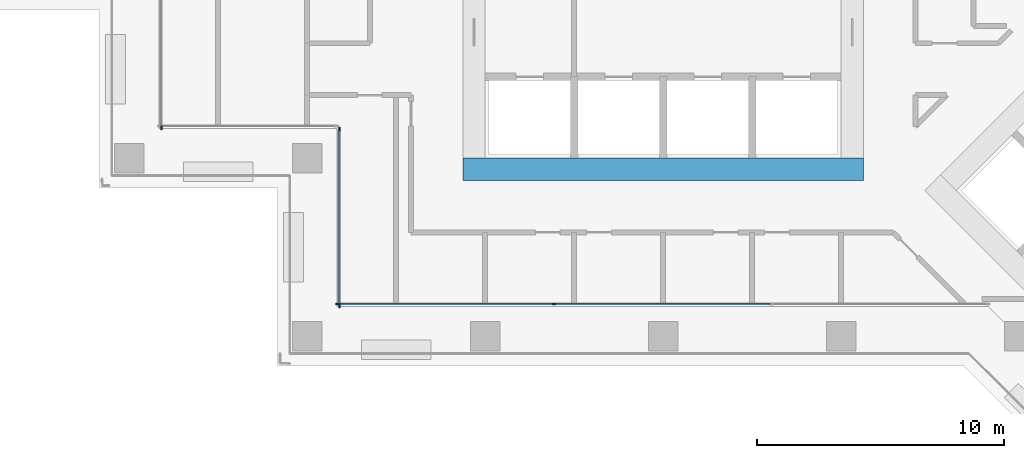
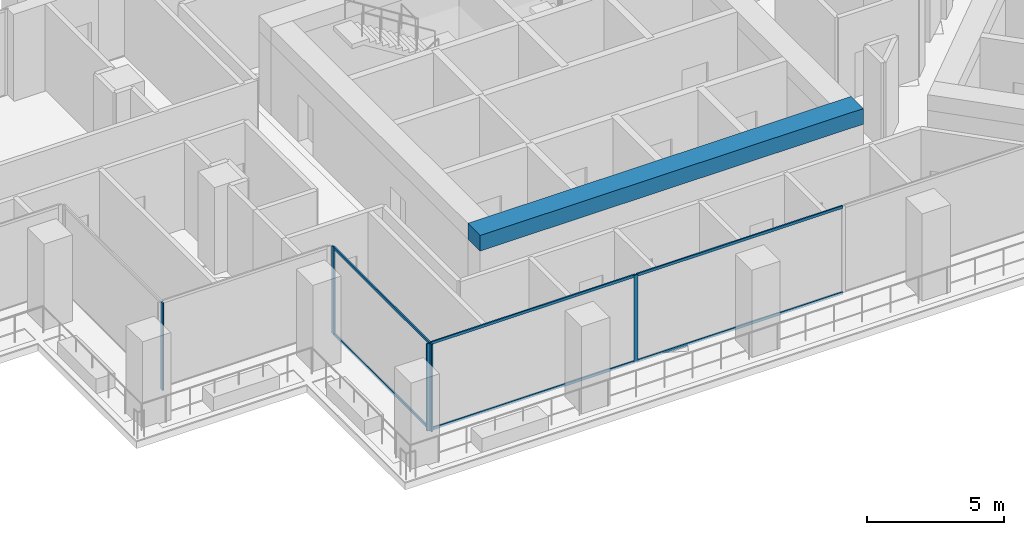
# One storey, part 2 of 24: 11 members, 1 beam, 3 elements without a shape of their own.
"""IFC4 building model written with IfcOpenShell, lengths in metres."""

from ifc_helpers import new_model, si_unit, direction, frame, origin, origin_2d, place, context, subcontext, project, spatial, rectangle, extrude, material, material_profile, profile_set, type_object, element, aggregate, save


model = new_model("IFC4")

# Units and contexts
model_context = context("Model", 3, precision=1e-05, world=origin(), true_north=direction((0.0, 1.0)))
body_context = subcontext(model_context, "Body", "Model", "MODEL_VIEW")
ifc_project = project(units=[si_unit("LENGTHUNIT", "METRE"), si_unit("AREAUNIT", "SQUARE_METRE"), si_unit("VOLUMEUNIT", "CUBIC_METRE"), si_unit("PLANEANGLEUNIT", "RADIAN"), si_unit("MASSUNIT", "GRAM", prefix="KILO")], contexts=[model_context])

# Site, building, storey
site_placement = place(None, origin())
site = spatial("IfcSite", under=ifc_project, at=site_placement, CompositionType="ELEMENT")
building_placement = place(site_placement, origin())
building = spatial("IfcBuilding", under=site, at=building_placement, Name="Windrow Commons", CompositionType="ELEMENT")
storey_placement = place(building_placement, frame((0.0, 0.0, 77.0)))
storey = spatial("IfcBuildingStorey", under=building, at=storey_placement, Name="L20", CompositionType="ELEMENT", Elevation=77.0)

# Curtain wall, member
ifc_material_1 = material(Name="Clear laminated glass in Aluminium 6063-T6 anodised frame", Category="aluminium")
curtain_wall_type = type_object("IfcCurtainWallType", Name="Curtain wall CW2 sky lounge", PredefinedType="USERDEFINED", material=ifc_material_1)
placement = place(storey_placement, origin())
curtain_wall_1 = element("IfcCurtainWall", 1, at=placement, inside=storey, type_object=curtain_wall_type, Name="Curtain wall CW2 L20 9", ObjectType="UNITISED", PredefinedType="USERDEFINED")
ifc_material_2 = material(Name="Aluminium 6063-T6", Category="aluminium")
ifc_material_profile_1 = material_profile(ifc_material_2, rectangle(XDim=0.06, YDim=0.16, at=origin_2d()))
ifc_profile_set_1 = profile_set([ifc_material_profile_1], Name="Aluminium 6063-T6")
member_type_1 = type_object("IfcMemberType", Name="CW2 mullion 60x160", PredefinedType="MULLION", material=ifc_profile_set_1)
member_1_placement = place(storey_placement, frame((44.5, 51.63, 0.0), z_axis=(0.0, 0.0, 1.0), x_axis=(1.0, 0.0, 0.0)))
member_1 = element("IfcMember", 2, at=member_1_placement, type_object=member_type_1, Name="CW2 mullion 2", PredefinedType="MULLION", context=body_context, shape_type="SweptSolid", body=[
    extrude(rectangle(XDim=0.06, YDim=0.16, at=origin_2d()), origin(), (0.0, 0.0, 1.0), 3.9),
])
aggregate(curtain_wall_1, [member_1])

# Curtain wall, members
curtain_wall_2 = element("IfcCurtainWall", 3, at=placement, inside=storey, type_object=curtain_wall_type, Name="Curtain wall CW2 L20 11", ObjectType="UNITISED", PredefinedType="USERDEFINED")
member_2_placement = place(storey_placement, frame((51.7, 51.57, 0.0), z_axis=(0.0, 0.0, 1.0), x_axis=(1.0, 0.0, 0.0)))
member_2 = element("IfcMember", 4, at=member_2_placement, type_object=member_type_1, Name="CW2 mullion 1", PredefinedType="MULLION", context=body_context, shape_type="SweptSolid", body=[
    extrude(rectangle(XDim=0.06, YDim=0.16, at=origin_2d()), origin(), (0.0, 0.0, 1.0), 3.9),
])
member_3_placement = place(storey_placement, frame((51.7, 44.43, 0.0), z_axis=(0.0, 0.0, 1.0), x_axis=(1.0, 0.0, 0.0)))
member_3 = element("IfcMember", 5, at=member_3_placement, type_object=member_type_1, Name="CW2 mullion 2", PredefinedType="MULLION", context=body_context, shape_type="SweptSolid", body=[
    extrude(rectangle(XDim=0.06, YDim=0.16, at=origin_2d()), origin(), (0.0, 0.0, 1.0), 3.9),
])

curtain_wall_3 = element("IfcCurtainWall", 6, at=placement, inside=storey, type_object=curtain_wall_type, Name="Curtain wall CW2 L20 12", ObjectType="UNITISED", PredefinedType="USERDEFINED")
member_4_placement = place(storey_placement, frame((51.63, 44.5, 0.0), z_axis=(0.0, 0.0, 1.0), x_axis=(0.0, 1.0, 0.0)))
member_4 = element("IfcMember", 7, at=member_4_placement, type_object=member_type_1, Name="CW2 mullion 1", PredefinedType="MULLION", context=body_context, shape_type="SweptSolid", body=[
    extrude(rectangle(XDim=0.06, YDim=0.16, at=origin_2d()), origin(), (0.0, 0.0, 1.0), 3.9),
])
member_5_placement = place(storey_placement, frame((60.3833, 44.5, 0.0), z_axis=(0.0, 0.0, 1.0), x_axis=(0.0, 1.0, 0.0)))
member_5 = element("IfcMember", 8, at=member_5_placement, type_object=member_type_1, Name="CW2 mullion 2", PredefinedType="MULLION", context=body_context, shape_type="SweptSolid", body=[
    extrude(rectangle(XDim=0.06, YDim=0.16, at=origin_2d()), origin(), (0.0, 0.0, 1.0), 3.9),
])

# Member
ifc_material_3 = material(Name="Aluminium 6063-T6", Category="aluminium")
ifc_material_profile_2 = material_profile(ifc_material_3, rectangle(XDim=0.06, YDim=0.12, at=origin_2d()))
ifc_profile_set_2 = profile_set([ifc_material_profile_2], Name="Aluminium 6063-T6")
member_type_2 = type_object("IfcMemberType", Name="CW2 transom 60x120", PredefinedType="USERDEFINED", material=ifc_profile_set_2)
member_6_placement = place(storey_placement, frame((51.7, 51.54, 0.03), z_axis=(0.0, -1.0, 0.0), x_axis=(1.0, 0.0, 0.0)))
member_6 = element("IfcMember", 9, at=member_6_placement, type_object=member_type_2, Name="CW2 transom 1.1", ObjectType="TRANSOM", PredefinedType="USERDEFINED", context=body_context, shape_type="SweptSolid", body=[
    extrude(rectangle(XDim=0.06, YDim=0.12, at=origin_2d()), origin(), (0.0, 0.0, 1.0), 7.08),
])

member_7_placement = place(storey_placement, frame((51.7, 51.54, 3.87), z_axis=(0.0, -1.0, 0.0), x_axis=(1.0, 0.0, 0.0)))
member_7 = element("IfcMember", 10, at=member_7_placement, type_object=member_type_2, Name="CW2 transom 1.2", ObjectType="TRANSOM", PredefinedType="USERDEFINED", context=body_context, shape_type="SweptSolid", body=[
    extrude(rectangle(XDim=0.06, YDim=0.12, at=origin_2d()), origin(), (0.0, 0.0, 1.0), 7.08),
])

aggregate(curtain_wall_2, [member_2, member_3, member_6, member_7])

member_8_placement = place(storey_placement, frame((51.66, 44.5, 0.03), z_axis=(1.0, 0.0, 0.0), x_axis=(0.0, 1.0, 0.0)))
member_8 = element("IfcMember", 11, at=member_8_placement, type_object=member_type_2, Name="CW2 transom 1.1", ObjectType="TRANSOM", PredefinedType="USERDEFINED", context=body_context, shape_type="SweptSolid", body=[
    extrude(rectangle(XDim=0.06, YDim=0.12, at=origin_2d()), origin(), (0.0, 0.0, 1.0), 8.6933),
])

member_9_placement = place(storey_placement, frame((51.66, 44.5, 3.87), z_axis=(1.0, 0.0, 0.0), x_axis=(0.0, 1.0, 0.0)))
member_9 = element("IfcMember", 12, at=member_9_placement, type_object=member_type_2, Name="CW2 transom 1.2", ObjectType="TRANSOM", PredefinedType="USERDEFINED", context=body_context, shape_type="SweptSolid", body=[
    extrude(rectangle(XDim=0.06, YDim=0.12, at=origin_2d()), origin(), (0.0, 0.0, 1.0), 8.6933),
])

member_10_placement = place(storey_placement, frame((60.4133, 44.5, 0.03), z_axis=(1.0, 0.0, 0.0), x_axis=(0.0, 1.0, 0.0)))
member_10 = element("IfcMember", 13, at=member_10_placement, type_object=member_type_2, Name="CW2 transom 2.1", ObjectType="TRANSOM", PredefinedType="USERDEFINED", context=body_context, shape_type="SweptSolid", body=[
    extrude(rectangle(XDim=0.06, YDim=0.12, at=origin_2d()), origin(), (0.0, 0.0, 1.0), 8.7234),
])

member_11_placement = place(storey_placement, frame((60.4133, 44.5, 3.87), z_axis=(1.0, 0.0, 0.0), x_axis=(0.0, 1.0, 0.0)))
member_11 = element("IfcMember", 14, at=member_11_placement, type_object=member_type_2, Name="CW2 transom 2.2", ObjectType="TRANSOM", PredefinedType="USERDEFINED", context=body_context, shape_type="SweptSolid", body=[
    extrude(rectangle(XDim=0.06, YDim=0.12, at=origin_2d()), origin(), (0.0, 0.0, 1.0), 8.7234),
])

aggregate(curtain_wall_3, [member_4, member_5, member_8, member_9, member_10, member_11])

# Beam
ifc_material_4 = material(Name="Concrete C60/75", Category="concrete")
ifc_material_profile_3 = material_profile(ifc_material_4, rectangle(XDim=0.9, YDim=0.7, at=origin_2d()))
ifc_profile_set_3 = profile_set([ifc_material_profile_3], Name="Concrete C60/75")
beam_type = type_object("IfcBeamType", Name="RC COUPLING BEAM 900x700 C60/75", PredefinedType="LINTEL", material=ifc_profile_set_3)
beam_placement = place(storey_placement, frame((56.7, 49.95, 3.55), z_axis=(1.0, 0.0, 0.0), x_axis=(0.0, 1.0, 0.0)))
element("IfcBeam", 15, at=beam_placement, inside=storey, type_object=beam_type, Name="Core A coupling beam outer-S", PredefinedType="LINTEL", context=body_context, shape_type="SweptSolid", body=[
    extrude(rectangle(XDim=0.9, YDim=0.7, at=origin_2d()), origin(), (0.0, 0.0, 1.0), 16.2),
])

save(model, "model.ifc")
